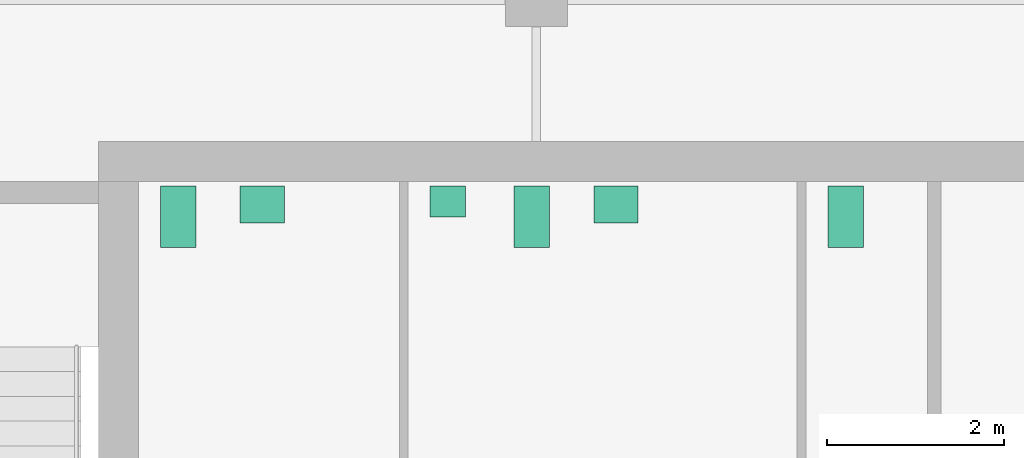
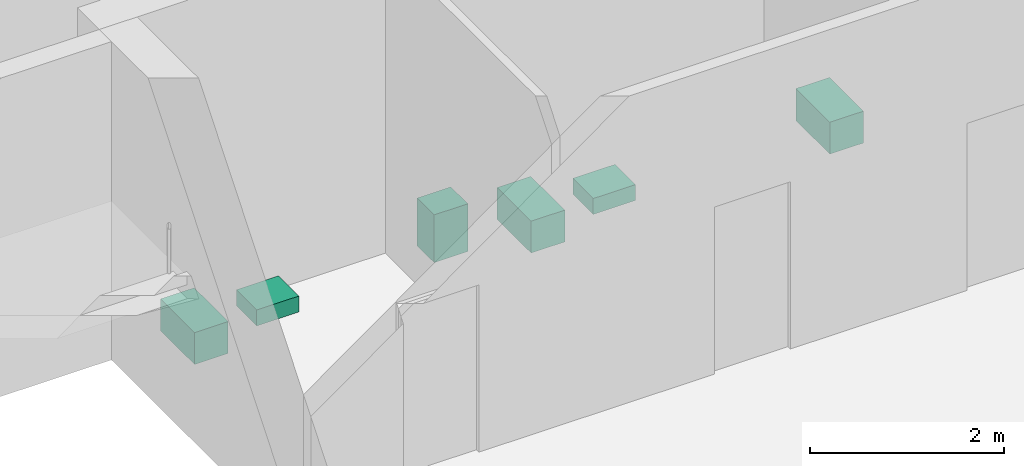
# One storey, part 7 of 7: 6 sanitary terminals.
"""IFC4 building model written with IfcOpenShell, lengths in metres."""

from ifc_helpers import new_model, si_unit, direction, frame, origin, origin_2d, place, context, subcontext, project, spatial, rectangle, extrude, material, type_object, element, save


model = new_model("IFC4")

# Units and contexts
model_context = context("Model", 3, precision=1e-05, world=origin(), true_north=direction((0.0, 1.0)))
body_context = subcontext(model_context, "Body", "Model", "MODEL_VIEW")
ifc_project = project(units=[si_unit("LENGTHUNIT", "METRE"), si_unit("AREAUNIT", "SQUARE_METRE"), si_unit("VOLUMEUNIT", "CUBIC_METRE"), si_unit("PLANEANGLEUNIT", "RADIAN"), si_unit("MASSUNIT", "GRAM", prefix="KILO")], contexts=[model_context])

# Site, building, storey
site_placement = place(None, origin())
site = spatial("IfcSite", under=ifc_project, at=site_placement, CompositionType="ELEMENT")
building_placement = place(site_placement, origin())
building = spatial("IfcBuilding", under=site, at=building_placement, Name="Cinnabar Reach Civic Tower", CompositionType="ELEMENT")
storey_placement = place(building_placement, frame((0.0, 0.0, 267.0)))
storey = spatial("IfcBuildingStorey", under=building, at=storey_placement, Name="L64", CompositionType="ELEMENT", Elevation=267.0)

# Sanitary terminals
ifc_material = material(Name="Vitreous china")
sanitary_terminal_type_1 = type_object("IfcSanitaryTerminalType", Name="T1 WC pan", PredefinedType="TOILETPAN", material=ifc_material)
for number, where, z_axis, x_axis, name in (
    (1, (4.95, 41.6, 0.0), (0.0, 0.0, 1.0), (1.0, 0.0, 0.0), "T1 WC pan 6408-1"),
    (2, (8.95, 41.6, 0.0), (0.0, 0.0, 1.0), (1.0, 0.0, 0.0), "T1 WC pan 6409-2"),
    (3, (12.5, 41.6, 0.0), (0.0, 0.0, 1.0), (1.0, 0.0, 0.0), "T1 WC pan 6410-1"),
):
    element("IfcSanitaryTerminal", number, at=place(storey_placement, frame(where, z_axis=z_axis, x_axis=x_axis)), inside=storey, type_object=sanitary_terminal_type_1, Name=name, PredefinedType="TOILETPAN", context=body_context, shape_type="SweptSolid", body=[
        extrude(rectangle(XDim=0.4, YDim=0.7, at=origin_2d()), origin(), (0.0, 0.0, 1.0), 0.4),
    ])
sanitary_terminal_type_2 = type_object("IfcSanitaryTerminalType", Name="T1 urinal", PredefinedType="URINAL", material=ifc_material)
sanitary_terminal_placement = place(storey_placement, frame((8.0, 41.775, 0.0), z_axis=(0.0, 0.0, 1.0), x_axis=(1.0, 0.0, 0.0)))
element("IfcSanitaryTerminal", 4, at=sanitary_terminal_placement, inside=storey, type_object=sanitary_terminal_type_2, Name="T1 urinal 6409-1", PredefinedType="URINAL", context=body_context, shape_type="SweptSolid", body=[
    extrude(rectangle(XDim=0.4, YDim=0.35, at=origin_2d()), origin(), (0.0, 0.0, 1.0), 0.6),
])
sanitary_terminal_type_3 = type_object("IfcSanitaryTerminalType", Name="T1 wash basin", PredefinedType="WASHHANDBASIN", material=ifc_material)
for number, where, z_axis, x_axis, name in (
    (5, (5.9, 41.74, 0.0), (0.0, 0.0, 1.0), (1.0, 0.0, 0.0), "T1 wash basin 6408-2"),
    (6, (9.9, 41.74, 0.0), (0.0, 0.0, 1.0), (1.0, 0.0, 0.0), "T1 wash basin 6409-3"),
):
    element("IfcSanitaryTerminal", number, at=place(storey_placement, frame(where, z_axis=z_axis, x_axis=x_axis)), inside=storey, type_object=sanitary_terminal_type_3, Name=name, PredefinedType="WASHHANDBASIN", context=body_context, shape_type="SweptSolid", body=[
        extrude(rectangle(XDim=0.5, YDim=0.42, at=origin_2d()), origin(), (0.0, 0.0, 1.0), 0.2),
    ])

save(model, "model.ifc")
